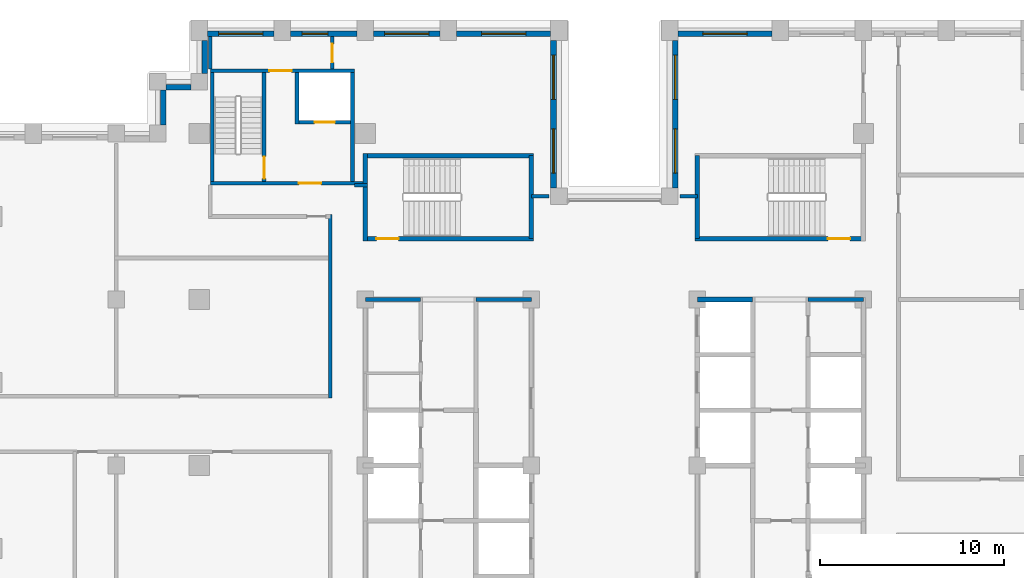
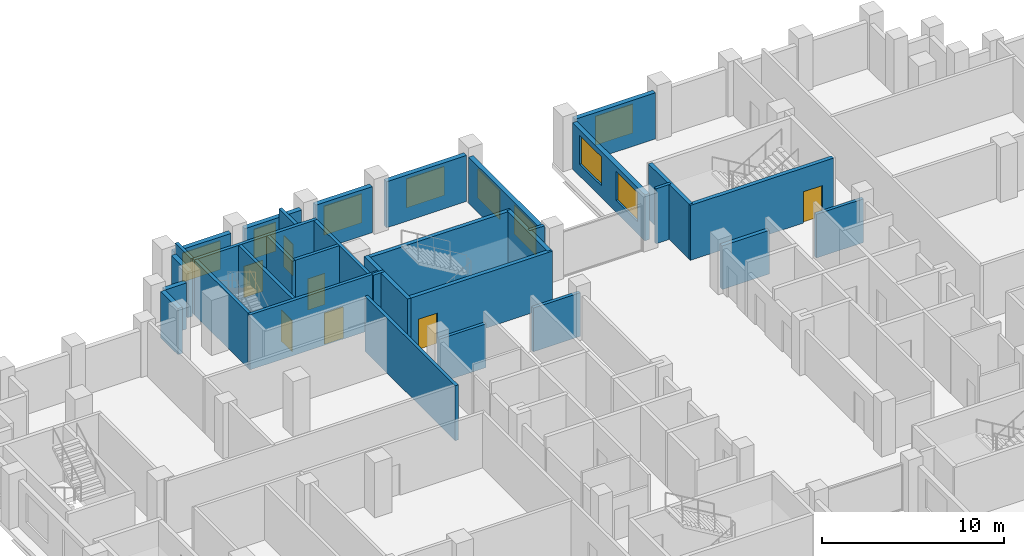
# One storey, part 10 of 15: 33 walls, 9 windows, 7 doors, 16 openings.
"""IFC4 building model written with IfcOpenShell, lengths in metres."""

from ifc_helpers import new_model, si_unit, direction, frame, frame_2d, origin, place, context, subcontext, project, spatial, rectangle, extrude, material, layer, layer_set, type_object, element, fill, save


model = new_model("IFC4")

# Units and contexts
model_context = context("Model", 3, precision=1e-05, world=origin(), true_north=direction((0.0, 1.0)))
body_context = subcontext(model_context, "Body", "Model", "MODEL_VIEW")
ifc_project = project(units=[si_unit("LENGTHUNIT", "METRE"), si_unit("AREAUNIT", "SQUARE_METRE"), si_unit("VOLUMEUNIT", "CUBIC_METRE"), si_unit("PLANEANGLEUNIT", "RADIAN"), si_unit("MASSUNIT", "GRAM", prefix="KILO")], contexts=[model_context])

# Site, building, storey
site_placement = place(None, origin())
site = spatial("IfcSite", under=ifc_project, at=site_placement, CompositionType="ELEMENT")
building_placement = place(site_placement, origin())
building = spatial("IfcBuilding", under=site, at=building_placement, Name="Corbelhall Arena Tower", CompositionType="ELEMENT")
storey_placement = place(building_placement, frame((0.0, 0.0, 146.0)))
storey = spatial("IfcBuildingStorey", under=building, at=storey_placement, Name="L28", CompositionType="ELEMENT", Elevation=146.0)

# Walls
ifc_material_1 = material(Name="Precast concrete C40/50 with granite facing", Category="masonry")
ifc_layer_1 = layer(ifc_material_1, 0.300048828125)
ifc_layer_set_1 = layer_set([ifc_layer_1], Name="EV-IW1 Infill panel 300")
wall_type_1 = type_object("IfcWallType", Name="EV-IW1 Infill panel 300", PredefinedType="SOLIDWALL", material=ifc_layer_set_1)
wall_1_placement = place(storey_placement, frame((-22.199951171875, 23.050048828125, 0.0), z_axis=(0.0, 0.0, 1.0), x_axis=(0.0, -1.0, 0.0)))
element("IfcWall", 1, at=wall_1_placement, inside=storey, type_object=wall_type_1, Name="Infill panel IW1", PredefinedType="SOLIDWALL", context=body_context, shape_type="SweptSolid", body=[
    extrude(rectangle(XDim=1.800048828125, YDim=0.300048828125, at=frame_2d((0.89990234375, 0.0))), origin(), (0.0, 0.0, 1.0), 3.10009765625),
])
wall_2_placement = place(storey_placement, frame((-22.949951171875, 20.5, 0.0), z_axis=(0.0, 0.0, 1.0), x_axis=(-1.0, 0.0, 0.0)))
element("IfcWall", 2, at=wall_2_placement, inside=storey, type_object=wall_type_1, Name="Infill panel IW1", PredefinedType="SOLIDWALL", context=body_context, shape_type="SweptSolid", body=[
    extrude(rectangle(XDim=1.35009765625, YDim=0.300048828125, at=frame_2d((0.675048828125, 0.0))), origin(), (0.0, 0.0, 1.0), 3.10009765625),
])
wall_3_placement = place(storey_placement, frame((-24.449951171875, 20.35009765625, 0.0), z_axis=(0.0, 0.0, 1.0), x_axis=(0.0, -1.0, 0.0)))
element("IfcWall", 3, at=wall_3_placement, inside=storey, type_object=wall_type_1, Name="Infill panel IW1", PredefinedType="SOLIDWALL", context=body_context, shape_type="SweptSolid", body=[
    extrude(rectangle(XDim=1.900146484375, YDim=0.300048828125, at=frame_2d((0.9501953125, 0.0))), origin(), (0.0, 0.0, 1.0), 3.10009765625),
])

# Wall, opening, window
wall_4_placement = place(storey_placement, frame((8.550048828125, 23.39990234375, 0.0), z_axis=(0.0, 0.0, 1.0), x_axis=(-1.0, 0.0, 0.0)))
wall_4 = element("IfcWall", 4, at=wall_4_placement, inside=storey, type_object=wall_type_1, Name="Infill panel IW1", PredefinedType="SOLIDWALL", context=body_context, shape_type="SweptSolid", body=[
    extrude(rectangle(XDim=5.10009765625, YDim=0.300048828125, at=frame_2d((2.550048828125, 0.0))), origin(), (0.0, 0.0, 1.0), 3.10009765625),
])
opening_1_placement = place(wall_4_placement, frame((1.35009765625, 0.0, 0.800048828125)))
opening_1 = element("IfcOpeningElement", 5, at=opening_1_placement, cuts=wall_4, Name="Opening WN1", PredefinedType="OPENING", context=body_context, shape_type="SweptSolid", body=[
    extrude(rectangle(XDim=2.39990234375, YDim=1.949951171875, at=frame_2d((1.199951171875, 0.97509765625))), frame((0.0, 0.14990234375, 0.0), z_axis=(0.0, -1.0, 0.0), x_axis=(1.0, 0.0, 0.0)), (0.0, 0.0, 1.0), 0.300048828125),
])
ifc_material_2 = material(Name="Aluminium black anodised", Category="aluminium")
window_type_1 = type_object("IfcWindowType", Name="EV-WN1 Office window", PartitioningType="SINGLE_PANEL", PredefinedType="WINDOW", material=ifc_material_2)
window_1_placement = place(opening_1_placement, origin())
window_1 = element("IfcWindow", 6, at=window_1_placement, inside=storey, type_object=window_type_1, Name="Window WN1", OverallHeight=1.949951171875, OverallWidth=2.39990234375, PartitioningType="SINGLE_PANEL", PredefinedType="WINDOW", context=body_context, shape_type="SweptSolid", body=[
    extrude(rectangle(XDim=2.39990234375, YDim=1.949951171875, at=frame_2d((1.199951171875, 0.97509765625))), frame((0.0, 0.030029296875, 0.0), z_axis=(0.0, -1.0, 0.0), x_axis=(1.0, 0.0, 0.0)), (0.0, 0.0, 1.0), 0.06005859375),
])
fill(opening_1, window_1)

# Wall, openings, windows
wall_5_placement = place(storey_placement, frame((3.300048828125, 23.050048828125, 0.0), z_axis=(0.0, 0.0, 1.0), x_axis=(0.0, -1.0, 0.0)))
wall_5 = element("IfcWall", 7, at=wall_5_placement, inside=storey, type_object=wall_type_1, Name="Infill panel IW1", PredefinedType="SOLIDWALL", context=body_context, shape_type="SweptSolid", body=[
    extrude(rectangle(XDim=8.0, YDim=0.300048828125, at=frame_2d((4.0, 0.0))), origin(), (0.0, 0.0, 1.0), 3.10009765625),
])
opening_2_placement = place(wall_5_placement, frame((0.800048828125, 0.0, 0.800048828125)))
opening_2 = element("IfcOpeningElement", 8, at=opening_2_placement, cuts=wall_5, Name="Opening WN1", PredefinedType="OPENING", context=body_context, shape_type="SweptSolid", body=[
    extrude(rectangle(XDim=2.39990234375, YDim=1.949951171875, at=frame_2d((1.199951171875, 0.97509765625))), frame((0.0, 0.14990234375, 0.0), z_axis=(0.0, -1.0, 0.0), x_axis=(1.0, 0.0, 0.0)), (0.0, 0.0, 1.0), 0.300048828125),
])
opening_3_placement = place(wall_5_placement, frame((4.800048828125, 0.0, 0.800048828125)))
opening_3 = element("IfcOpeningElement", 9, at=opening_3_placement, cuts=wall_5, Name="Opening WN1", PredefinedType="OPENING", context=body_context, shape_type="SweptSolid", body=[
    extrude(rectangle(XDim=2.39990234375, YDim=1.949951171875, at=frame_2d((1.199951171875, 0.97509765625))), frame((0.0, 0.14990234375, 0.0), z_axis=(0.0, -1.0, 0.0), x_axis=(1.0, 0.0, 0.0)), (0.0, 0.0, 1.0), 0.300048828125),
])
window_2_placement = place(opening_2_placement, origin())
window_2 = element("IfcWindow", 10, at=window_2_placement, inside=storey, type_object=window_type_1, Name="Window WN1", OverallHeight=1.949951171875, OverallWidth=2.39990234375, PartitioningType="SINGLE_PANEL", PredefinedType="WINDOW", context=body_context, shape_type="SweptSolid", body=[
    extrude(rectangle(XDim=2.39990234375, YDim=1.949951171875, at=frame_2d((1.199951171875, 0.97509765625))), frame((0.0, 0.030029296875, 0.0), z_axis=(0.0, -1.0, 0.0), x_axis=(1.0, 0.0, 0.0)), (0.0, 0.0, 1.0), 0.06005859375),
])
fill(opening_2, window_2)
window_3_placement = place(opening_3_placement, origin())
window_3 = element("IfcWindow", 11, at=window_3_placement, inside=storey, type_object=window_type_1, Name="Window WN1", OverallHeight=1.949951171875, OverallWidth=2.39990234375, PartitioningType="SINGLE_PANEL", PredefinedType="WINDOW", context=body_context, shape_type="SweptSolid", body=[
    extrude(rectangle(XDim=2.39990234375, YDim=1.949951171875, at=frame_2d((1.199951171875, 0.97509765625))), frame((0.0, 0.030029296875, 0.0), z_axis=(0.0, -1.0, 0.0), x_axis=(1.0, 0.0, 0.0)), (0.0, 0.0, 1.0), 0.06005859375),
])
fill(opening_3, window_3)

wall_6_placement = place(storey_placement, frame((-3.300048828125, 15.050048828125, 0.0), z_axis=(0.0, 0.0, 1.0), x_axis=(0.0, 1.0, 0.0)))
wall_6 = element("IfcWall", 12, at=wall_6_placement, inside=storey, type_object=wall_type_1, Name="Infill panel IW1", PredefinedType="SOLIDWALL", context=body_context, shape_type="SweptSolid", body=[
    extrude(rectangle(XDim=8.0, YDim=0.300048828125, at=frame_2d((4.0, 0.0))), origin(), (0.0, 0.0, 1.0), 3.10009765625),
])
opening_4_placement = place(wall_6_placement, frame((0.800048828125, 0.0, 0.800048828125)))
opening_4 = element("IfcOpeningElement", 13, at=opening_4_placement, cuts=wall_6, Name="Opening WN1", PredefinedType="OPENING", context=body_context, shape_type="SweptSolid", body=[
    extrude(rectangle(XDim=2.39990234375, YDim=1.949951171875, at=frame_2d((1.199951171875, 0.97509765625))), frame((0.0, 0.14990234375, 0.0), z_axis=(0.0, -1.0, 0.0), x_axis=(1.0, 0.0, 0.0)), (0.0, 0.0, 1.0), 0.300048828125),
])
opening_5_placement = place(wall_6_placement, frame((4.800048828125, 0.0, 0.800048828125)))
opening_5 = element("IfcOpeningElement", 14, at=opening_5_placement, cuts=wall_6, Name="Opening WN1", PredefinedType="OPENING", context=body_context, shape_type="SweptSolid", body=[
    extrude(rectangle(XDim=2.39990234375, YDim=1.949951171875, at=frame_2d((1.199951171875, 0.97509765625))), frame((0.0, 0.14990234375, 0.0), z_axis=(0.0, -1.0, 0.0), x_axis=(1.0, 0.0, 0.0)), (0.0, 0.0, 1.0), 0.300048828125),
])
window_4_placement = place(opening_4_placement, origin())
window_4 = element("IfcWindow", 15, at=window_4_placement, inside=storey, type_object=window_type_1, Name="Window WN1", OverallHeight=1.949951171875, OverallWidth=2.39990234375, PartitioningType="SINGLE_PANEL", PredefinedType="WINDOW", context=body_context, shape_type="SweptSolid", body=[
    extrude(rectangle(XDim=2.39990234375, YDim=1.949951171875, at=frame_2d((1.199951171875, 0.97509765625))), frame((0.0, 0.030029296875, 0.0), z_axis=(0.0, -1.0, 0.0), x_axis=(1.0, 0.0, 0.0)), (0.0, 0.0, 1.0), 0.06005859375),
])
fill(opening_4, window_4)
window_5_placement = place(opening_5_placement, origin())
window_5 = element("IfcWindow", 16, at=window_5_placement, inside=storey, type_object=window_type_1, Name="Window WN1", OverallHeight=1.949951171875, OverallWidth=2.39990234375, PartitioningType="SINGLE_PANEL", PredefinedType="WINDOW", context=body_context, shape_type="SweptSolid", body=[
    extrude(rectangle(XDim=2.39990234375, YDim=1.949951171875, at=frame_2d((1.199951171875, 0.97509765625))), frame((0.0, 0.030029296875, 0.0), z_axis=(0.0, -1.0, 0.0), x_axis=(1.0, 0.0, 0.0)), (0.0, 0.0, 1.0), 0.06005859375),
])
fill(opening_5, window_5)

# Wall, opening, window
wall_7_placement = place(storey_placement, frame((-3.449951171875, 23.39990234375, 0.0), z_axis=(0.0, 0.0, 1.0), x_axis=(-1.0, 0.0, 0.0)))
wall_7 = element("IfcWall", 17, at=wall_7_placement, inside=storey, type_object=wall_type_1, Name="Infill panel IW1", PredefinedType="SOLIDWALL", context=body_context, shape_type="SweptSolid", body=[
    extrude(rectangle(XDim=5.10009765625, YDim=0.300048828125, at=frame_2d((2.550048828125, 0.0))), origin(), (0.0, 0.0, 1.0), 3.10009765625),
])
opening_6_placement = place(wall_7_placement, frame((1.35009765625, 0.0, 0.800048828125)))
opening_6 = element("IfcOpeningElement", 18, at=opening_6_placement, cuts=wall_7, Name="Opening WN1", PredefinedType="OPENING", context=body_context, shape_type="SweptSolid", body=[
    extrude(rectangle(XDim=2.39990234375, YDim=1.949951171875, at=frame_2d((1.199951171875, 0.97509765625))), frame((0.0, 0.14990234375, 0.0), z_axis=(0.0, -1.0, 0.0), x_axis=(1.0, 0.0, 0.0)), (0.0, 0.0, 1.0), 0.300048828125),
])
window_6_placement = place(opening_6_placement, origin())
window_6 = element("IfcWindow", 19, at=window_6_placement, inside=storey, type_object=window_type_1, Name="Window WN1", OverallHeight=1.949951171875, OverallWidth=2.39990234375, PartitioningType="SINGLE_PANEL", PredefinedType="WINDOW", context=body_context, shape_type="SweptSolid", body=[
    extrude(rectangle(XDim=2.39990234375, YDim=1.949951171875, at=frame_2d((1.199951171875, 0.97509765625))), frame((0.0, 0.030029296875, 0.0), z_axis=(0.0, -1.0, 0.0), x_axis=(1.0, 0.0, 0.0)), (0.0, 0.0, 1.0), 0.06005859375),
])
fill(opening_6, window_6)

wall_8_placement = place(storey_placement, frame((-9.449951171875, 23.39990234375, 0.0), z_axis=(0.0, 0.0, 1.0), x_axis=(-1.0, 0.0, 0.0)))
wall_8 = element("IfcWall", 20, at=wall_8_placement, inside=storey, type_object=wall_type_1, Name="Infill panel IW1", PredefinedType="SOLIDWALL", context=body_context, shape_type="SweptSolid", body=[
    extrude(rectangle(XDim=3.60009765625, YDim=0.300048828125, at=frame_2d((1.800048828125, 0.0))), origin(), (0.0, 0.0, 1.0), 3.10009765625),
])
opening_7_placement = place(wall_8_placement, frame((0.60009765625, 0.0, 0.800048828125)))
opening_7 = element("IfcOpeningElement", 21, at=opening_7_placement, cuts=wall_8, Name="Opening WN1", PredefinedType="OPENING", context=body_context, shape_type="SweptSolid", body=[
    extrude(rectangle(XDim=2.39990234375, YDim=1.949951171875, at=frame_2d((1.199951171875, 0.97509765625))), frame((0.0, 0.14990234375, 0.0), z_axis=(0.0, -1.0, 0.0), x_axis=(1.0, 0.0, 0.0)), (0.0, 0.0, 1.0), 0.300048828125),
])
window_7_placement = place(opening_7_placement, origin())
window_7 = element("IfcWindow", 22, at=window_7_placement, inside=storey, type_object=window_type_1, Name="Window WN1", OverallHeight=1.949951171875, OverallWidth=2.39990234375, PartitioningType="SINGLE_PANEL", PredefinedType="WINDOW", context=body_context, shape_type="SweptSolid", body=[
    extrude(rectangle(XDim=2.39990234375, YDim=1.949951171875, at=frame_2d((1.199951171875, 0.97509765625))), frame((0.0, 0.030029296875, 0.0), z_axis=(0.0, -1.0, 0.0), x_axis=(1.0, 0.0, 0.0)), (0.0, 0.0, 1.0), 0.06005859375),
])
fill(opening_7, window_7)

wall_9_placement = place(storey_placement, frame((-13.949951171875, 23.39990234375, 0.0), z_axis=(0.0, 0.0, 1.0), x_axis=(-1.0, 0.0, 0.0)))
wall_9 = element("IfcWall", 23, at=wall_9_placement, inside=storey, type_object=wall_type_1, Name="Infill panel IW1", PredefinedType="SOLIDWALL", context=body_context, shape_type="SweptSolid", body=[
    extrude(rectangle(XDim=3.60009765625, YDim=0.300048828125, at=frame_2d((1.800048828125, 0.0))), origin(), (0.0, 0.0, 1.0), 3.10009765625),
])
opening_8_placement = place(wall_9_placement, frame((1.574951171875, 0.0, 0.800048828125)))
opening_8 = element("IfcOpeningElement", 24, at=opening_8_placement, cuts=wall_9, Name="Opening WN7", PredefinedType="OPENING", context=body_context, shape_type="SweptSolid", body=[
    extrude(rectangle(XDim=1.39990234375, YDim=1.949951171875, at=frame_2d((0.699951171875, 0.97509765625))), frame((0.0, 0.14990234375, 0.0), z_axis=(0.0, -1.0, 0.0), x_axis=(1.0, 0.0, 0.0)), (0.0, 0.0, 1.0), 0.300048828125),
])
window_type_2 = type_object("IfcWindowType", Name="EV-WN7 Office window 1400", PartitioningType="SINGLE_PANEL", PredefinedType="WINDOW", material=ifc_material_2)
window_8_placement = place(opening_8_placement, origin())
window_8 = element("IfcWindow", 25, at=window_8_placement, inside=storey, type_object=window_type_2, Name="Window WN7", OverallHeight=1.949951171875, OverallWidth=1.39990234375, PartitioningType="SINGLE_PANEL", PredefinedType="WINDOW", context=body_context, shape_type="SweptSolid", body=[
    extrude(rectangle(XDim=1.39990234375, YDim=1.949951171875, at=frame_2d((0.699951171875, 0.97509765625))), frame((0.0, 0.030029296875, 0.0), z_axis=(0.0, -1.0, 0.0), x_axis=(1.0, 0.0, 0.0)), (0.0, 0.0, 1.0), 0.06005859375),
])
fill(opening_8, window_8)

wall_10_placement = place(storey_placement, frame((-18.449951171875, 23.39990234375, 0.0), z_axis=(0.0, 0.0, 1.0), x_axis=(-1.0, 0.0, 0.0)))
wall_10 = element("IfcWall", 26, at=wall_10_placement, inside=storey, type_object=wall_type_1, Name="Infill panel IW1", PredefinedType="SOLIDWALL", context=body_context, shape_type="SweptSolid", body=[
    extrude(rectangle(XDim=3.60009765625, YDim=0.300048828125, at=frame_2d((1.800048828125, 0.0))), origin(), (0.0, 0.0, 1.0), 3.10009765625),
])
opening_9_placement = place(wall_10_placement, frame((0.60009765625, 0.0, 0.800048828125)))
opening_9 = element("IfcOpeningElement", 27, at=opening_9_placement, cuts=wall_10, Name="Opening WN1", PredefinedType="OPENING", context=body_context, shape_type="SweptSolid", body=[
    extrude(rectangle(XDim=2.39990234375, YDim=1.949951171875, at=frame_2d((1.199951171875, 0.97509765625))), frame((0.0, 0.14990234375, 0.0), z_axis=(0.0, -1.0, 0.0), x_axis=(1.0, 0.0, 0.0)), (0.0, 0.0, 1.0), 0.300048828125),
])
window_9_placement = place(opening_9_placement, origin())
window_9 = element("IfcWindow", 28, at=window_9_placement, inside=storey, type_object=window_type_1, Name="Window WN1", OverallHeight=1.949951171875, OverallWidth=2.39990234375, PartitioningType="SINGLE_PANEL", PredefinedType="WINDOW", context=body_context, shape_type="SweptSolid", body=[
    extrude(rectangle(XDim=2.39990234375, YDim=1.949951171875, at=frame_2d((1.199951171875, 0.97509765625))), frame((0.0, 0.030029296875, 0.0), z_axis=(0.0, -1.0, 0.0), x_axis=(1.0, 0.0, 0.0)), (0.0, 0.0, 1.0), 0.06005859375),
])
fill(opening_9, window_9)

# Walls
ifc_material_3 = material(Name="Gypsum board on steel stud, acoustic", Category="steel")
ifc_layer_2 = layer(ifc_material_3, 0.199951171875)
ifc_layer_set_2 = layer_set([ifc_layer_2], Name="IN-W-DM200")
wall_type_2 = type_object("IfcWallType", Name="IN-W-DM200", PredefinedType="PARTITIONING", material=ifc_layer_set_2)
wall_11_placement = place(storey_placement, frame((-21.89990234375, 21.5, 0.0), z_axis=(0.0, 0.0, 1.0), x_axis=(0.0, 1.0, 0.0)))
element("IfcWall", 29, at=wall_11_placement, inside=storey, type_object=wall_type_2, Name="Partition 015", PredefinedType="PARTITIONING", context=body_context, shape_type="SweptSolid", body=[
    extrude(rectangle(XDim=1.75, YDim=0.199951171875, at=frame_2d((0.875, 0.0))), origin(), (0.0, 0.0, 1.0), 3.699951171875),
])
wall_12_placement = place(storey_placement, frame((-15.39990234375, 3.64990234375, 0.0), z_axis=(0.0, 0.0, 1.0), x_axis=(0.0, 1.0, 0.0)))
element("IfcWall", 30, at=wall_12_placement, inside=storey, type_object=wall_type_2, Name="Partition 017", PredefinedType="PARTITIONING", context=body_context, shape_type="SweptSolid", body=[
    extrude(rectangle(XDim=9.9501953125, YDim=0.199951171875, at=frame_2d((4.97509765625, 0.0))), origin(), (0.0, 0.0, 1.0), 3.699951171875),
])

# Wall, opening, door
wall_13_placement = place(storey_placement, frame((-15.300048828125, 23.25, 0.0), z_axis=(0.0, 0.0, 1.0), x_axis=(0.0, -1.0, 0.0)))
wall_13 = element("IfcWall", 31, at=wall_13_placement, inside=storey, type_object=wall_type_2, Name="Partition 019", PredefinedType="PARTITIONING", context=body_context, shape_type="SweptSolid", body=[
    extrude(rectangle(XDim=1.75, YDim=0.199951171875, at=frame_2d((0.875, 0.0))), origin(), (0.0, 0.0, 1.0), 3.699951171875),
])
opening_10_placement = place(wall_13_placement, frame((0.39990234375, 0.0, 0.0)))
opening_10 = element("IfcOpeningElement", 32, at=opening_10_placement, cuts=wall_13, Name="Opening 07022", PredefinedType="OPENING", context=body_context, shape_type="SweptSolid", body=[
    extrude(rectangle(XDim=1.0, YDim=2.10009765625, at=frame_2d((0.5, 1.050048828125))), frame((0.0, 0.10009765625, 0.0), z_axis=(0.0, -1.0, 0.0), x_axis=(1.0, 0.0, 0.0)), (0.0, 0.0, 1.0), 0.199951171875),
])
ifc_material_4 = material(Name="Steel door set", Category="steel")
door_type_1 = type_object("IfcDoorType", Name="IN-D-SW100", OperationType="NOTDEFINED", PredefinedType="DOOR", material=ifc_material_4)
door_1_placement = place(opening_10_placement, origin())
door_1 = element("IfcDoor", 33, at=door_1_placement, inside=storey, type_object=door_type_1, Name="Door 022", OperationType="SINGLE_SWING_LEFT", OverallHeight=2.10009765625, OverallWidth=1.0, PredefinedType="DOOR", context=body_context, shape_type="SweptSolid", body=[
    extrude(rectangle(XDim=1.0, YDim=2.10009765625, at=frame_2d((0.5, 1.050048828125))), frame((0.0, 0.02490234375, 0.0), z_axis=(0.0, -1.0, 0.0), x_axis=(1.0, 0.0, 0.0)), (0.0, 0.0, 1.0), 0.050048828125),
])
fill(opening_10, door_1)

# Walls
wall_14_placement = place(storey_placement, frame((-14.10009765625, 15.199951171875, 0.0), z_axis=(0.0, 0.0, 1.0), x_axis=(1.0, 0.0, 0.0)))
element("IfcWall", 34, at=wall_14_placement, inside=storey, type_object=wall_type_2, Name="Partition 020", PredefinedType="PARTITIONING", context=body_context, shape_type="SweptSolid", body=[
    extrude(rectangle(XDim=0.72509765625, YDim=0.199951171875, at=frame_2d((0.362548828125, 0.0))), origin(), (0.0, 0.0, 1.0), 3.699951171875),
])
for number, where, z_axis, x_axis, name in (
    (35, (-4.5, 14.60009765625, 0.0), (0.0, 0.0, 1.0), (1.0, 0.0, 0.0), "Partition 022"),
    (36, (3.550048828125, 14.60009765625, 0.0), (0.0, 0.0, 1.0), (1.0, 0.0, 0.0), "Partition 024"),
):
    element("IfcWall", number, at=place(storey_placement, frame(where, z_axis=z_axis, x_axis=x_axis)), inside=storey, type_object=wall_type_2, Name=name, PredefinedType="PARTITIONING", context=body_context, shape_type="SweptSolid", body=[
        extrude(rectangle(XDim=0.949951171875, YDim=0.199951171875, at=frame_2d((0.47509765625, 0.0))), origin(), (0.0, 0.0, 1.0), 3.699951171875),
    ])

# Wall, opening, door
ifc_material_5 = material(Name="Concrete C40/50", Category="concrete")
ifc_layer_3 = layer(ifc_material_5, 0.199951171875)
ifc_layer_set_3 = layer_set([ifc_layer_3], Name="IN-W-EAR200")
wall_type_3 = type_object("IfcWallType", Name="IN-W-EAR200", PredefinedType="SOLIDWALL", material=ifc_layer_set_3)
wall_15_placement = place(storey_placement, frame((-21.89990234375, 15.300048828125, 0.0), z_axis=(0.0, 0.0, 1.0), x_axis=(1.0, 0.0, 0.0)))
wall_15 = element("IfcWall", 37, at=wall_15_placement, inside=storey, type_object=wall_type_3, Name="Fire service turret wall south", PredefinedType="SOLIDWALL", context=body_context, shape_type="SweptSolid", body=[
    extrude(rectangle(XDim=8.27490234375, YDim=0.199951171875, at=frame_2d((4.137451171875, 0.0))), origin(), (0.0, 0.0, 1.0), 3.699951171875),
])
opening_11_placement = place(wall_15_placement, frame((4.800048828125, 0.0, 0.0)))
opening_11 = element("IfcOpeningElement", 38, at=opening_11_placement, cuts=wall_15, Name="Opening E072", PredefinedType="OPENING", context=body_context, shape_type="SweptSolid", body=[
    extrude(rectangle(XDim=1.199951171875, YDim=2.10009765625, at=frame_2d((0.60009765625, 1.050048828125))), frame((0.0, 0.10009765625, 0.0), z_axis=(0.0, -1.0, 0.0), x_axis=(1.0, 0.0, 0.0)), (0.0, 0.0, 1.0), 0.199951171875),
])
door_type_2 = type_object("IfcDoorType", Name="IN-D-ST120", OperationType="NOTDEFINED", PredefinedType="DOOR", material=ifc_material_4)
door_2_placement = place(opening_11_placement, origin())
door_2 = element("IfcDoor", 39, at=door_2_placement, inside=storey, type_object=door_type_2, Name="Door from fire service lift lobby to circulation", OperationType="SINGLE_SWING_RIGHT", OverallHeight=2.10009765625, OverallWidth=1.199951171875, PredefinedType="DOOR", context=body_context, shape_type="SweptSolid", body=[
    extrude(rectangle(XDim=1.199951171875, YDim=2.10009765625, at=frame_2d((0.60009765625, 1.050048828125))), frame((0.0, 0.02490234375, 0.0), z_axis=(0.0, -1.0, 0.0), x_axis=(1.0, 0.0, 0.0)), (0.0, 0.0, 1.0), 0.050048828125),
])
fill(opening_11, door_2)

wall_16_placement = place(storey_placement, frame((-21.89990234375, 21.39990234375, 0.0), z_axis=(0.0, 0.0, 1.0), x_axis=(1.0, 0.0, 0.0)))
wall_16 = element("IfcWall", 40, at=wall_16_placement, inside=storey, type_object=wall_type_3, Name="Fire service turret wall north", PredefinedType="SOLIDWALL", context=body_context, shape_type="SweptSolid", body=[
    extrude(rectangle(XDim=7.7998046875, YDim=0.199951171875, at=frame_2d((3.89990234375, 0.0))), origin(), (0.0, 0.0, 1.0), 3.699951171875),
])
opening_12_placement = place(wall_16_placement, frame((3.199951171875, 0.0, 0.0)))
opening_12 = element("IfcOpeningElement", 41, at=opening_12_placement, cuts=wall_16, Name="Opening E073", PredefinedType="OPENING", context=body_context, shape_type="SweptSolid", body=[
    extrude(rectangle(XDim=1.199951171875, YDim=2.10009765625, at=frame_2d((0.60009765625, 1.050048828125))), frame((0.0, 0.10009765625, 0.0), z_axis=(0.0, -1.0, 0.0), x_axis=(1.0, 0.0, 0.0)), (0.0, 0.0, 1.0), 0.199951171875),
])
door_3_placement = place(opening_12_placement, origin())
door_3 = element("IfcDoor", 42, at=door_3_placement, inside=storey, type_object=door_type_2, Name="Door from fire service lift lobby to the north gallery", OperationType="SINGLE_SWING_LEFT", OverallHeight=2.10009765625, OverallWidth=1.199951171875, PredefinedType="DOOR", context=body_context, shape_type="SweptSolid", body=[
    extrude(rectangle(XDim=1.199951171875, YDim=2.10009765625, at=frame_2d((0.60009765625, 1.050048828125))), frame((0.0, 0.02490234375, 0.0), z_axis=(0.0, -1.0, 0.0), x_axis=(1.0, 0.0, 0.0)), (0.0, 0.0, 1.0), 0.050048828125),
])
fill(opening_12, door_3)

# Walls
for number, where, z_axis, x_axis, name in (
    (43, (-21.800048828125, 15.39990234375, 0.0), (0.0, 0.0, 1.0), (0.0, 1.0, 0.0), "Fire service turret wall west"),
    (44, (-14.199951171875, 15.39990234375, 0.0), (0.0, 0.0, 1.0), (0.0, 1.0, 0.0), "Fire service turret wall east"),
):
    element("IfcWall", number, at=place(storey_placement, frame(where, z_axis=z_axis, x_axis=x_axis)), inside=storey, type_object=wall_type_3, Name=name, PredefinedType="SOLIDWALL", context=body_context, shape_type="SweptSolid", body=[
        extrude(rectangle(XDim=5.900146484375, YDim=0.199951171875, at=frame_2d((2.9501953125, 0.0))), origin(), (0.0, 0.0, 1.0), 3.699951171875),
    ])

# Wall, opening, door
wall_17_placement = place(storey_placement, frame((-18.989990234375, 15.39990234375, 0.0), z_axis=(0.0, 0.0, 1.0), x_axis=(0.0, 1.0, 0.0)))
wall_17 = element("IfcWall", 45, at=wall_17_placement, inside=storey, type_object=wall_type_3, Name="Fire service turret wall stair", PredefinedType="SOLIDWALL", context=body_context, shape_type="SweptSolid", body=[
    extrude(rectangle(XDim=5.900146484375, YDim=0.199951171875, at=frame_2d((2.9501953125, 0.0))), origin(), (0.0, 0.0, 1.0), 3.699951171875),
])
opening_13_placement = place(wall_17_placement, frame((0.14990234375, 0.0, 0.0)))
opening_13 = element("IfcOpeningElement", 46, at=opening_13_placement, cuts=wall_17, Name="Opening E071", PredefinedType="OPENING", context=body_context, shape_type="SweptSolid", body=[
    extrude(rectangle(XDim=1.199951171875, YDim=2.10009765625, at=frame_2d((0.60009765625, 1.050048828125))), frame((0.0, 0.10009765625, 0.0), z_axis=(0.0, -1.0, 0.0), x_axis=(1.0, 0.0, 0.0)), (0.0, 0.0, 1.0), 0.199951171875),
])
door_4_placement = place(opening_13_placement, origin())
door_4 = element("IfcDoor", 47, at=door_4_placement, inside=storey, type_object=door_type_2, Name="Stair door to fire service lobby", OperationType="SINGLE_SWING_LEFT", OverallHeight=2.10009765625, OverallWidth=1.199951171875, PredefinedType="DOOR", context=body_context, shape_type="SweptSolid", body=[
    extrude(rectangle(XDim=1.199951171875, YDim=2.10009765625, at=frame_2d((0.60009765625, 1.050048828125))), frame((0.0, 0.02490234375, 0.0), z_axis=(0.0, -1.0, 0.0), x_axis=(1.0, 0.0, 0.0)), (0.0, 0.0, 1.0), 0.050048828125),
])
fill(opening_13, door_4)

# Wall
wall_18_placement = place(storey_placement, frame((-17.199951171875, 18.5, 0.0), z_axis=(0.0, 0.0, 1.0), x_axis=(0.0, 1.0, 0.0)))
element("IfcWall", 48, at=wall_18_placement, inside=storey, type_object=wall_type_3, Name="Fire service turret wall hoistway west", PredefinedType="SOLIDWALL", context=body_context, shape_type="SweptSolid", body=[
    extrude(rectangle(XDim=2.800048828125, YDim=0.199951171875, at=frame_2d((1.39990234375, 0.0))), origin(), (0.0, 0.0, 1.0), 3.699951171875),
])

# Wall, opening, door
wall_19_placement = place(storey_placement, frame((-17.10009765625, 18.60009765625, 0.0), z_axis=(0.0, 0.0, 1.0), x_axis=(1.0, 0.0, 0.0)))
wall_19 = element("IfcWall", 49, at=wall_19_placement, inside=storey, type_object=wall_type_3, Name="Fire service turret wall hoistway south", PredefinedType="SOLIDWALL", context=body_context, shape_type="SweptSolid", body=[
    extrude(rectangle(XDim=2.800048828125, YDim=0.199951171875, at=frame_2d((1.39990234375, 0.0))), origin(), (0.0, 0.0, 1.0), 3.699951171875),
])
opening_14_placement = place(wall_19_placement, frame((0.85009765625, 0.0, 0.0)))
opening_14 = element("IfcOpeningElement", 50, at=opening_14_placement, cuts=wall_19, Name="Opening LD", PredefinedType="OPENING", context=body_context, shape_type="SweptSolid", body=[
    extrude(rectangle(XDim=1.10009765625, YDim=2.10009765625, at=frame_2d((0.550048828125, 1.050048828125))), frame((0.0, 0.10009765625, 0.0), z_axis=(0.0, -1.0, 0.0), x_axis=(1.0, 0.0, 0.0)), (0.0, 0.0, 1.0), 0.199951171875),
])
door_type_3 = type_object("IfcDoorType", Name="IN-D-LD110", OperationType="NOTDEFINED", PredefinedType="DOOR", material=ifc_material_4)
door_5_placement = place(opening_14_placement, origin())
door_5 = element("IfcDoor", 51, at=door_5_placement, inside=storey, type_object=door_type_3, Name="Landing door FS1", OperationType="SLIDING_TO_LEFT", OverallHeight=2.10009765625, OverallWidth=1.10009765625, PredefinedType="DOOR", context=body_context, shape_type="SweptSolid", body=[
    extrude(rectangle(XDim=1.10009765625, YDim=2.10009765625, at=frame_2d((0.550048828125, 1.050048828125))), frame((0.0, 0.02490234375, 0.0), z_axis=(0.0, -1.0, 0.0), x_axis=(1.0, 0.0, 0.0)), (0.0, 0.0, 1.0), 0.050048828125),
])
fill(opening_14, door_5)

# Walls
ifc_material_6 = material(Name="Concrete block wall", Category="concrete")
ifc_layer_4 = layer(ifc_material_6, 0.199951171875)
ifc_layer_set_4 = layer_set([ifc_layer_4], Name="IN-W-RS200 under beam 762 mm")
wall_type_4 = type_object("IfcWallType", Name="IN-W-RS200 under beam 762 mm", PredefinedType="SOLIDWALL", material=ifc_layer_set_4)
for number, where, z_axis, x_axis, name in (
    (52, (-13.5, 9.0, 0.0), (0.0, 0.0, 1.0), (1.0, 0.0, 0.0), "Partition 048"),
    (53, (-7.5, 9.0, 0.0), (0.0, 0.0, 1.0), (1.0, 0.0, 0.0), "Partition 052"),
    (54, (10.5, 9.0, 0.0), (0.0, 0.0, 1.0), (1.0, 0.0, 0.0), "Partition 058"),
):
    element("IfcWall", number, at=place(storey_placement, frame(where, z_axis=z_axis, x_axis=x_axis)), inside=storey, type_object=wall_type_4, Name=name, PredefinedType="SOLIDWALL", context=body_context, shape_type="SweptSolid", body=[
        extrude(rectangle(XDim=3.0, YDim=0.199951171875, at=frame_2d((1.5, 0.0))), origin(), (0.0, 0.0, 1.0), 2.93798828125),
    ])
ifc_layer_5 = layer(ifc_material_5, 0.25)
ifc_layer_set_5 = layer_set([ifc_layer_5], Name="IN-W-SH250 under beam 762 mm")
wall_type_5 = type_object("IfcWallType", Name="IN-W-SH250 under beam 762 mm", PredefinedType="SOLIDWALL", material=ifc_layer_set_5)
wall_20_placement = place(storey_placement, frame((4.5, 9.0, 0.0), z_axis=(0.0, 0.0, 1.0), x_axis=(1.0, 0.0, 0.0)))
element("IfcWall", 55, at=wall_20_placement, inside=storey, type_object=wall_type_5, Name="Shaft wall 076", PredefinedType="SOLIDWALL", context=body_context, shape_type="SweptSolid", body=[
    extrude(rectangle(XDim=3.0, YDim=0.25, at=frame_2d((1.5, 0.0))), origin(), (0.0, 0.0, 1.0), 2.93798828125),
])

# Wall, opening, door
ifc_layer_6 = layer(ifc_material_5, 0.25)
ifc_layer_set_6 = layer_set([ifc_layer_6], Name="IN-W-ST250")
wall_type_6 = type_object("IfcWallType", Name="IN-W-ST250", PredefinedType="SOLIDWALL", material=ifc_layer_set_6)
wall_21_placement = place(storey_placement, frame((-13.5, 12.300048828125, 0.0), z_axis=(0.0, 0.0, 1.0), x_axis=(1.0, 0.0, 0.0)))
wall_21 = element("IfcWall", 56, at=wall_21_placement, inside=storey, type_object=wall_type_6, Name="Shaft wall 090", PredefinedType="SOLIDWALL", context=body_context, shape_type="SweptSolid", body=[
    extrude(rectangle(XDim=9.125, YDim=0.25, at=frame_2d((4.5625, 0.0))), origin(), (0.0, 0.0, 1.0), 3.699951171875),
])
opening_15_placement = place(wall_21_placement, frame((0.60009765625, 0.0, 0.0)))
opening_15 = element("IfcOpeningElement", 57, at=opening_15_placement, cuts=wall_21, Name="Opening 07014", PredefinedType="OPENING", context=body_context, shape_type="SweptSolid", body=[
    extrude(rectangle(XDim=1.199951171875, YDim=2.10009765625, at=frame_2d((0.60009765625, 1.050048828125))), frame((0.0, 0.125, 0.0), z_axis=(0.0, -1.0, 0.0), x_axis=(1.0, 0.0, 0.0)), (0.0, 0.0, 1.0), 0.25),
])
door_6_placement = place(opening_15_placement, origin())
door_6 = element("IfcDoor", 58, at=door_6_placement, inside=storey, type_object=door_type_2, Name="Door 014", OperationType="SINGLE_SWING_LEFT", OverallHeight=2.10009765625, OverallWidth=1.199951171875, PredefinedType="DOOR", context=body_context, shape_type="SweptSolid", body=[
    extrude(rectangle(XDim=1.199951171875, YDim=2.10009765625, at=frame_2d((0.60009765625, 1.050048828125))), frame((0.0, 0.02490234375, 0.0), z_axis=(0.0, -1.0, 0.0), x_axis=(1.0, 0.0, 0.0)), (0.0, 0.0, 1.0), 0.050048828125),
])
fill(opening_15, door_6)

# Walls
wall_22_placement = place(storey_placement, frame((-13.5, 12.175048828125, 0.0), z_axis=(0.0, 0.0, 1.0), x_axis=(0.0, 1.0, 0.0)))
element("IfcWall", 59, at=wall_22_placement, inside=storey, type_object=wall_type_6, Name="Shaft wall 091", PredefinedType="SOLIDWALL", context=body_context, shape_type="SweptSolid", body=[
    extrude(rectangle(XDim=4.75, YDim=0.25, at=frame_2d((2.375, 0.0))), origin(), (0.0, 0.0, 1.0), 3.699951171875),
])
wall_23_placement = place(storey_placement, frame((-13.5, 16.800048828125, 0.0), z_axis=(0.0, 0.0, 1.0), x_axis=(1.0, 0.0, 0.0)))
element("IfcWall", 60, at=wall_23_placement, inside=storey, type_object=wall_type_6, Name="Shaft wall 092", PredefinedType="SOLIDWALL", context=body_context, shape_type="SweptSolid", body=[
    extrude(rectangle(XDim=9.125, YDim=0.25, at=frame_2d((4.5625, 0.0))), origin(), (0.0, 0.0, 1.0), 3.699951171875),
])
wall_24_placement = place(storey_placement, frame((-4.5, 16.800048828125, 0.0), z_axis=(0.0, 0.0, 1.0), x_axis=(0.0, -1.0, 0.0)))
element("IfcWall", 61, at=wall_24_placement, inside=storey, type_object=wall_type_6, Name="Shaft wall 095", PredefinedType="SOLIDWALL", context=body_context, shape_type="SweptSolid", body=[
    extrude(rectangle(XDim=4.5, YDim=0.25, at=frame_2d((2.25, 0.0))), origin(), (0.0, 0.0, 1.0), 3.699951171875),
])

# Wall, opening, door
wall_25_placement = place(storey_placement, frame((4.375, 12.300048828125, 0.0), z_axis=(0.0, 0.0, 1.0), x_axis=(1.0, 0.0, 0.0)))
wall_25 = element("IfcWall", 62, at=wall_25_placement, inside=storey, type_object=wall_type_6, Name="Shaft wall 097", PredefinedType="SOLIDWALL", context=body_context, shape_type="SweptSolid", body=[
    extrude(rectangle(XDim=9.125, YDim=0.25, at=frame_2d((4.5625, 0.0))), origin(), (0.0, 0.0, 1.0), 3.699951171875),
])
opening_16_placement = place(wall_25_placement, frame((7.199951171875, 0.0, 0.0)))
opening_16 = element("IfcOpeningElement", 63, at=opening_16_placement, cuts=wall_25, Name="Opening 07016", PredefinedType="OPENING", context=body_context, shape_type="SweptSolid", body=[
    extrude(rectangle(XDim=1.199951171875, YDim=2.10009765625, at=frame_2d((0.60009765625, 1.050048828125))), frame((0.0, 0.125, 0.0), z_axis=(0.0, -1.0, 0.0), x_axis=(1.0, 0.0, 0.0)), (0.0, 0.0, 1.0), 0.25),
])
door_7_placement = place(opening_16_placement, origin())
door_7 = element("IfcDoor", 64, at=door_7_placement, inside=storey, type_object=door_type_2, Name="Door 016", OperationType="SINGLE_SWING_LEFT", OverallHeight=2.10009765625, OverallWidth=1.199951171875, PredefinedType="DOOR", context=body_context, shape_type="SweptSolid", body=[
    extrude(rectangle(XDim=1.199951171875, YDim=2.10009765625, at=frame_2d((0.60009765625, 1.050048828125))), frame((0.0, 0.02490234375, 0.0), z_axis=(0.0, -1.0, 0.0), x_axis=(1.0, 0.0, 0.0)), (0.0, 0.0, 1.0), 0.050048828125),
])
fill(opening_16, door_7)

# Wall
wall_26_placement = place(storey_placement, frame((4.5, 12.300048828125, 0.0), z_axis=(0.0, 0.0, 1.0), x_axis=(0.0, 1.0, 0.0)))
element("IfcWall", 65, at=wall_26_placement, inside=storey, type_object=wall_type_6, Name="Shaft wall 100", PredefinedType="SOLIDWALL", context=body_context, shape_type="SweptSolid", body=[
    extrude(rectangle(XDim=4.5, YDim=0.25, at=frame_2d((2.25, 0.0))), origin(), (0.0, 0.0, 1.0), 3.699951171875),
])

save(model, "model.ifc")
